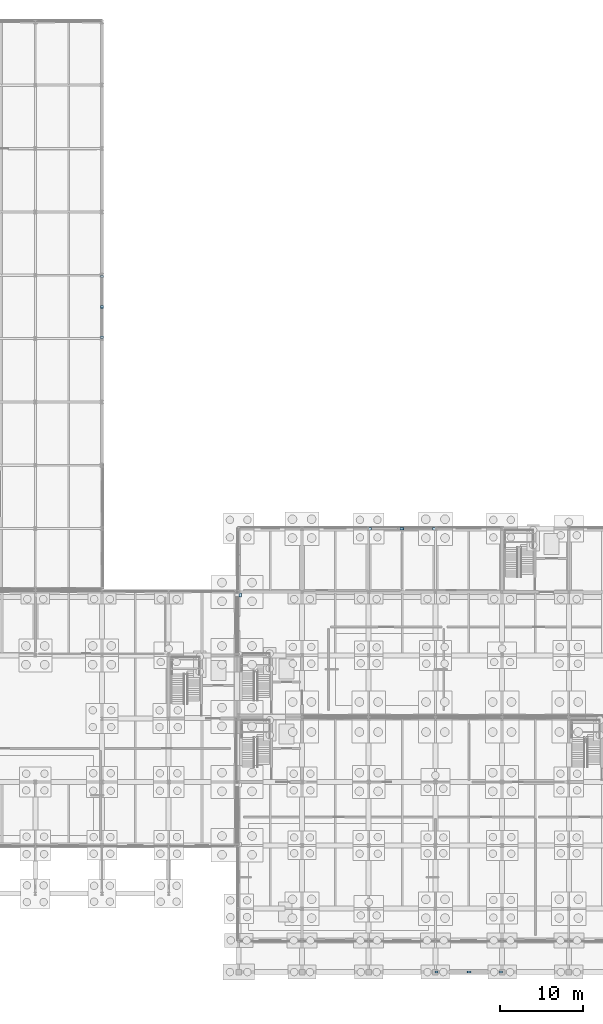
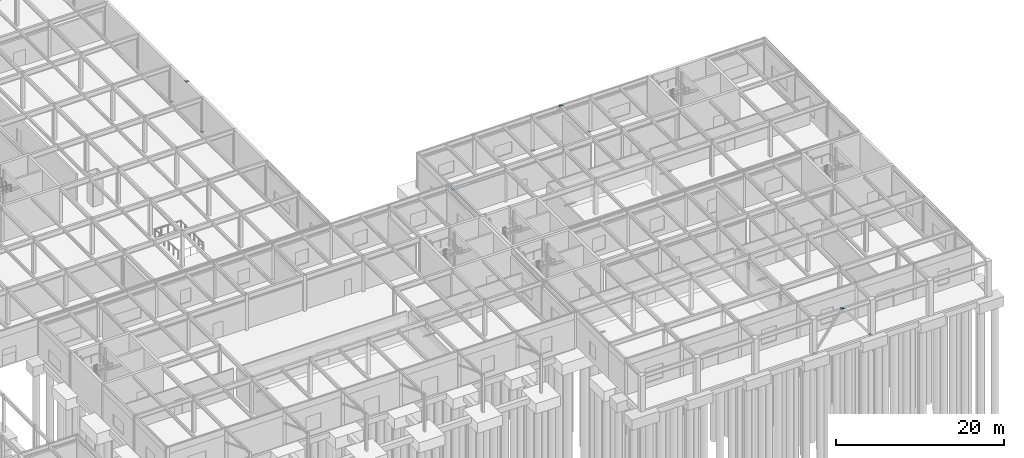
# One storey, part 39 of 62: 13 plates.
"""IFC4 building model written with IfcOpenShell, lengths in metres."""

from ifc_helpers import new_model, si_unit, direction, frame, origin, origin_2d, place, context, subcontext, project, spatial, rectangle, extrude, material, layer, layer_set, type_object, element, save


model = new_model("IFC4")

# Units and contexts
model_context = context("Model", 3, precision=1e-05, world=origin(), true_north=direction((0.0, 1.0)))
body_context = subcontext(model_context, "Body", "Model", "MODEL_VIEW")
ifc_project = project(units=[si_unit("LENGTHUNIT", "METRE"), si_unit("AREAUNIT", "SQUARE_METRE"), si_unit("VOLUMEUNIT", "CUBIC_METRE"), si_unit("PLANEANGLEUNIT", "RADIAN"), si_unit("MASSUNIT", "GRAM", prefix="KILO")], contexts=[model_context])

# Site, building, storey
site_placement = place(None, origin())
site = spatial("IfcSite", under=ifc_project, at=site_placement, CompositionType="ELEMENT")
building_placement = place(site_placement, origin())
building = spatial("IfcBuilding", under=site, at=building_placement, Name="Zulena Civic Courthouse", CompositionType="ELEMENT")
storey_placement = place(building_placement, origin())
storey = spatial("IfcBuildingStorey", under=building, at=storey_placement, Name="L00", CompositionType="ELEMENT", Elevation=0.0)

# Plates
ifc_material = material(Name="Steel ASTM A572 Grade 50", Category="steel")
ifc_layer_1 = layer(ifc_material, 0.028076171875)
ifc_layer_set_1 = layer_set([ifc_layer_1], Name="Steel ASTM A572 Grade 50")
plate_type_1 = type_object("IfcPlateType", Name="BearingPlate_450x320x28", PredefinedType="SHEET", material=ifc_layer_set_1)
plate_placement = place(storey_placement, frame((124.580078125, 45.25, 4.6201171875), z_axis=(0.0, 0.0, 1.0), x_axis=(1.0, 0.0, 0.0)))
element("IfcPlate", 1, at=plate_placement, inside=storey, type_object=plate_type_1, Name="plate:ptfe:BR-43:L01:45.25", PredefinedType="SHEET", context=body_context, shape_type="SweptSolid", body=[
    extrude(rectangle(XDim=0.320068359375, YDim=0.449951171875, at=origin_2d()), origin(), (0.0, 0.0, 1.0), 0.028076171875),
])
ifc_layer_2 = layer(ifc_material, 0.02197265625)
ifc_layer_set_2 = layer_set([ifc_layer_2], Name="Steel ASTM A572 Grade 50")
plate_type_2 = type_object("IfcPlateType", Name="GussetPlate_380x280x22", PredefinedType="SHEET", material=ifc_layer_set_2)
for number, where, z_axis, x_axis, name in (
    (2, (148.14990234375, 0.0, -0.0009765625), (0.0, 0.0, 1.0), (1.0, 0.0, 0.0), "plate:br:V1:L00:2:0:0"),
    (3, (151.949951171875, 0.0, 5.14892578125), (0.0, 0.0, 1.0), (1.0, 0.0, 0.0), "plate:br:V1:L00:2:0:1"),
    (4, (155.85009765625, 0.0, -0.0009765625), (0.0, 0.0, 1.0), (1.0, 0.0, 0.0), "plate:br:V1:L00:2:1:0"),
    (5, (152.050048828125, 0.0, 5.14892578125), (0.0, 0.0, 1.0), (1.0, 0.0, 0.0), "plate:br:V1:L00:2:1:1"),
    (6, (140.14990234375, 53.199951171875, -0.0009765625), (0.0, 0.0, 1.0), (1.0, 0.0, 0.0), "plate:br:V3:L00:3:0:0"),
    (7, (143.949951171875, 53.199951171875, 5.14892578125), (0.0, 0.0, 1.0), (1.0, 0.0, 0.0), "plate:br:V3:L00:3:0:1"),
    (8, (147.85009765625, 53.199951171875, -0.0009765625), (0.0, 0.0, 1.0), (1.0, 0.0, 0.0), "plate:br:V3:L00:3:1:0"),
    (9, (144.050048828125, 53.199951171875, 5.14892578125), (0.0, 0.0, 1.0), (1.0, 0.0, 0.0), "plate:br:V3:L00:3:1:1"),
    (10, (108.0, 76.14990234375, -0.0009765625), (0.0, 0.0, 1.0), (1.0, 0.0, 0.0), "plate:br:V5:L00:6:0:0"),
    (11, (108.0, 79.75, 5.14892578125), (0.0, 0.0, 1.0), (1.0, 0.0, 0.0), "plate:br:V5:L00:6:0:1"),
    (12, (108.0, 83.449951171875, -0.0009765625), (0.0, 0.0, 1.0), (1.0, 0.0, 0.0), "plate:br:V5:L00:6:1:0"),
    (13, (108.0, 79.85009765625, 5.14892578125), (0.0, 0.0, 1.0), (1.0, 0.0, 0.0), "plate:br:V5:L00:6:1:1"),
):
    element("IfcPlate", number, at=place(storey_placement, frame(where, z_axis=z_axis, x_axis=x_axis)), inside=storey, type_object=plate_type_2, Name=name, PredefinedType="SHEET", context=body_context, shape_type="SweptSolid", body=[
        extrude(rectangle(XDim=0.3798828125, YDim=0.280029296875, at=origin_2d()), origin(), (0.0, 0.0, 1.0), 0.02197265625),
    ])

save(model, "model.ifc")
